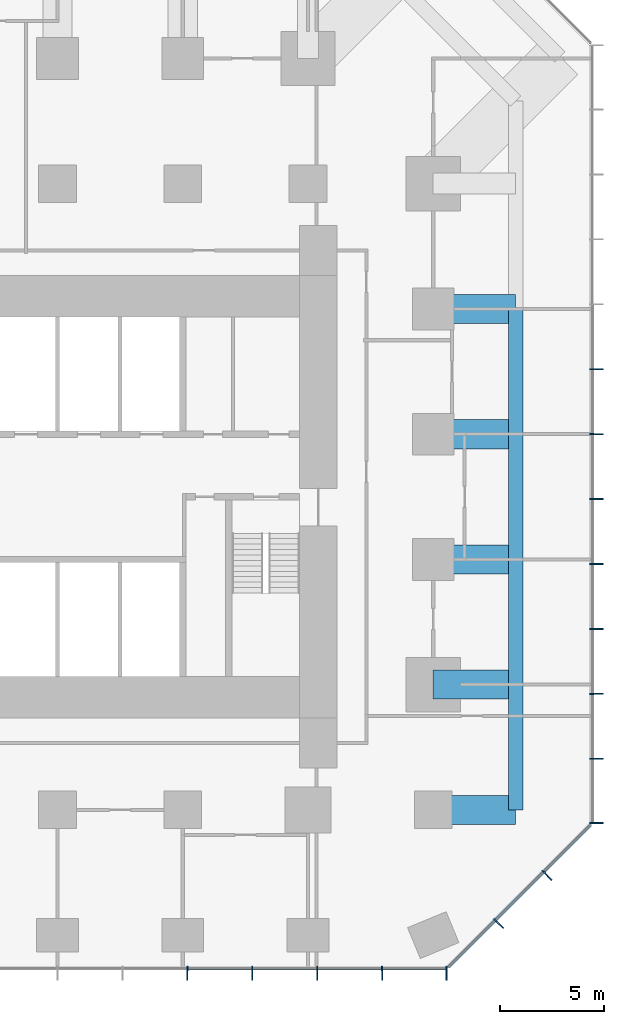
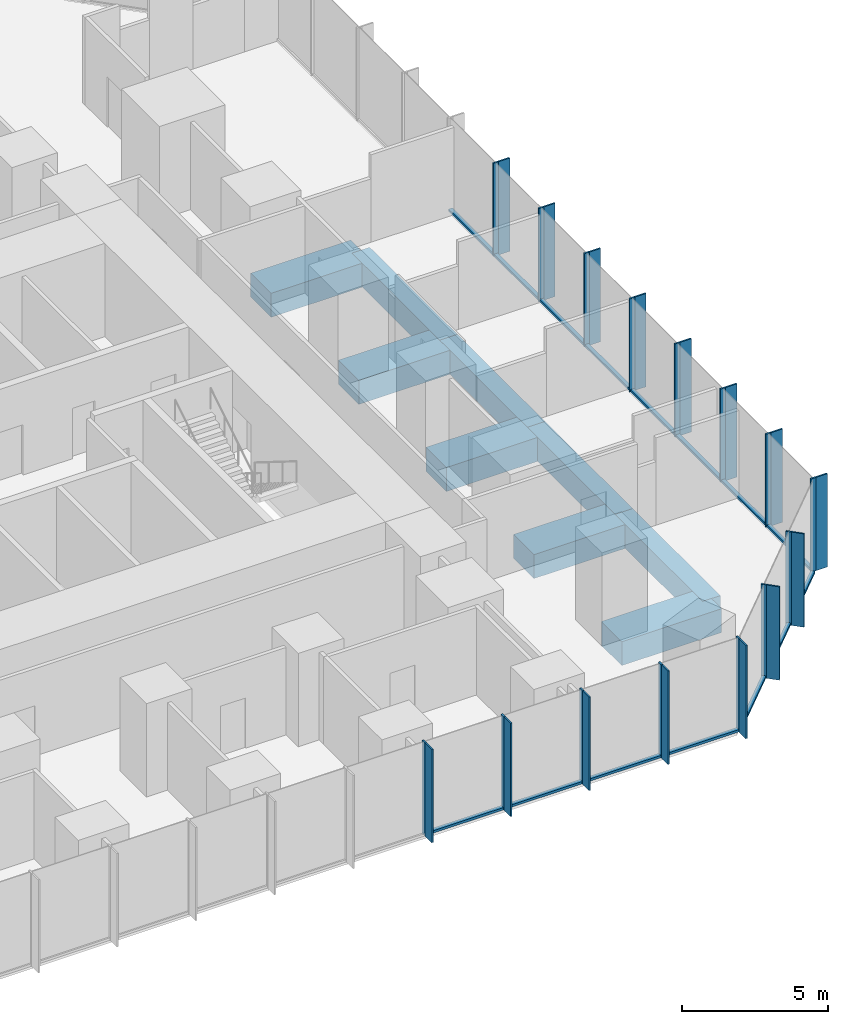
# One storey, part 4 of 12: 45 members, 9 beams, 3 elements without a shape of their own.
"""IFC4 building model written with IfcOpenShell, lengths in metres."""

from ifc_helpers import new_model, si_unit, direction, frame, origin, origin_2d, place, context, subcontext, project, spatial, rectangle, extrude, material, layer, layer_set, material_profile, profile_set, type_object, element, aggregate, save


model = new_model("IFC4")

# Units and contexts
model_context = context("Model", 3, precision=1e-05, world=origin(), true_north=direction((0.0, 1.0)))
body_context = subcontext(model_context, "Body", "Model", "MODEL_VIEW")
ifc_project = project(units=[si_unit("LENGTHUNIT", "METRE"), si_unit("AREAUNIT", "SQUARE_METRE"), si_unit("VOLUMEUNIT", "CUBIC_METRE"), si_unit("PLANEANGLEUNIT", "RADIAN"), si_unit("MASSUNIT", "GRAM", prefix="KILO")], contexts=[model_context])

# Site, building, storey
site_placement = place(None, origin())
site = spatial("IfcSite", under=ifc_project, at=site_placement, CompositionType="ELEMENT")
building_placement = place(site_placement, origin())
building = spatial("IfcBuilding", under=site, at=building_placement, Name="Highveld Stack Headquarters", CompositionType="ELEMENT")
storey_placement = place(building_placement, frame((0.0, 0.0, 68.89990234375)))
storey = spatial("IfcBuildingStorey", under=building, at=storey_placement, Name="L16", CompositionType="ELEMENT", Elevation=68.89990234375)

# Beams
ifc_material_1 = material(Name="Concrete C60/75", Category="concrete")
ifc_material_profile_1 = material_profile(ifc_material_1, rectangle(XDim=1.39990234375, YDim=1.0, at=origin_2d()), Name="RC 1400x1000")
ifc_profile_set_1 = profile_set([ifc_material_profile_1], Name="Concrete C60/75")
beam_type_1 = type_object("IfcBeamType", Name="CANTILEVER RIB RC 1400x1000", PredefinedType="USERDEFINED", material=ifc_profile_set_1)
for number, where, z_axis, x_axis, name in (
    (1, (24.0, -12.0, -0.75), (1.0, 0.0, 0.0), (0.0, 1.0, 0.0), "Cantilever rib 10/C L16"),
    (2, (24.0, -6.0, -0.75), (1.0, 0.0, 0.0), (0.0, 1.0, 0.0), "Cantilever rib 10/D L16"),
    (3, (24.0, 0.0, -0.75), (1.0, 0.0, 0.0), (0.0, 1.0, 0.0), "Cantilever rib 10/E L16"),
    (4, (24.0, 6.0, -0.75), (1.0, 0.0, 0.0), (0.0, 1.0, 0.0), "Cantilever rib 10/F L16"),
    (5, (24.0, 12.0, -0.75), (1.0, 0.0, 0.0), (0.0, 1.0, 0.0), "Cantilever rib 10/G L16"),
):
    element("IfcBeam", number, at=place(storey_placement, frame(where, z_axis=z_axis, x_axis=x_axis)), inside=storey, type_object=beam_type_1, Name=name, ObjectType="CANTILEVER RIB", PredefinedType="USERDEFINED", context=body_context, shape_type="SweptSolid", body=[
        extrude(rectangle(XDim=1.39990234375, YDim=1.0, at=origin_2d()), origin(), (0.0, 0.0, 1.0), 3.949951171875),
    ])

# Curtain wall, members
ifc_material_2 = material(Name="Aluminium bronze anodised", Category="aluminium")
ifc_layer_1 = layer(ifc_material_2, 0.199951171875)
ifc_layer_set_1 = layer_set([ifc_layer_1], Name="Aluminium bronze anodised")
curtain_wall_type_1 = type_object("IfcCurtainWallType", Name="CW1 TOWER UNITISED CURTAIN WALL", PredefinedType="NOTDEFINED", material=ifc_layer_set_1)
curtain_wall_1_placement = place(storey_placement, origin())
curtain_wall_1 = element("IfcCurtainWall", 6, at=curtain_wall_1_placement, inside=storey, type_object=curtain_wall_type_1, Name="Curtain wall CW1 L16 S", PredefinedType="NOTDEFINED")
ifc_material_3 = material(Name="Aluminium bronze anodised", Category="aluminium")
ifc_material_profile_2 = material_profile(ifc_material_3, rectangle(XDim=0.449951171875, YDim=0.06005859375, at=origin_2d()), Name="FIN 450x60")
ifc_profile_set_2 = profile_set([ifc_material_profile_2], Name="Aluminium bronze anodised")
member_type_1 = type_object("IfcMemberType", Name="CW1 BRONZE FIN 450x60", PredefinedType="USERDEFINED", material=ifc_profile_set_2)
member_1_placement = place(storey_placement, frame((12.220947265625, -19.925048828125, 0.0), z_axis=(0.0, 0.0, 1.0), x_axis=(0.0, 1.0, 0.0)))
member_1 = element("IfcMember", 7, at=member_1_placement, type_object=member_type_1, Name="CW1 fin L16 9", ObjectType="FIN", PredefinedType="USERDEFINED", context=body_context, shape_type="SweptSolid", body=[
    extrude(rectangle(XDim=0.449951171875, YDim=0.06005859375, at=origin_2d()), origin(), (0.0, 0.0, 1.0), 3.900146484375),
])
member_2_placement = place(storey_placement, frame((15.331298828125, -19.925048828125, 0.0), z_axis=(0.0, 0.0, 1.0), x_axis=(0.0, 1.0, 0.0)))
member_2 = element("IfcMember", 8, at=member_2_placement, type_object=member_type_1, Name="CW1 fin L16 10", ObjectType="FIN", PredefinedType="USERDEFINED", context=body_context, shape_type="SweptSolid", body=[
    extrude(rectangle(XDim=0.449951171875, YDim=0.06005859375, at=origin_2d()), origin(), (0.0, 0.0, 1.0), 3.900146484375),
])
member_3_placement = place(storey_placement, frame((18.44189453125, -19.925048828125, 0.0), z_axis=(0.0, 0.0, 1.0), x_axis=(0.0, 1.0, 0.0)))
member_3 = element("IfcMember", 9, at=member_3_placement, type_object=member_type_1, Name="CW1 fin L16 11", ObjectType="FIN", PredefinedType="USERDEFINED", context=body_context, shape_type="SweptSolid", body=[
    extrude(rectangle(XDim=0.449951171875, YDim=0.06005859375, at=origin_2d()), origin(), (0.0, 0.0, 1.0), 3.900146484375),
])
member_4_placement = place(storey_placement, frame((21.55224609375, -19.925048828125, 0.0), z_axis=(0.0, 0.0, 1.0), x_axis=(0.0, 1.0, 0.0)))
member_4 = element("IfcMember", 10, at=member_4_placement, type_object=member_type_1, Name="CW1 fin L16 12", ObjectType="FIN", PredefinedType="USERDEFINED", context=body_context, shape_type="SweptSolid", body=[
    extrude(rectangle(XDim=0.449951171875, YDim=0.06005859375, at=origin_2d()), origin(), (0.0, 0.0, 1.0), 3.900146484375),
])
member_5_placement = place(storey_placement, frame((24.630126953125, -19.925048828125, 0.0), z_axis=(0.0, 0.0, 1.0), x_axis=(0.0, 1.0, 0.0)))
member_5 = element("IfcMember", 11, at=member_5_placement, type_object=member_type_1, Name="CW1 fin L16 13", ObjectType="FIN", PredefinedType="USERDEFINED", context=body_context, shape_type="SweptSolid", body=[
    extrude(rectangle(XDim=0.449951171875, YDim=0.06005859375, at=origin_2d()), origin(), (0.0, 0.0, 1.0), 3.900146484375),
])

curtain_wall_2_placement = place(storey_placement, origin())
curtain_wall_2 = element("IfcCurtainWall", 12, at=curtain_wall_2_placement, inside=storey, type_object=curtain_wall_type_1, Name="Curtain wall CW1 L16 E", PredefinedType="NOTDEFINED")
member_6_placement = place(storey_placement, frame((31.925048828125, -12.630126953125, 0.0), z_axis=(0.0, 0.0, 1.0), x_axis=(-1.0, 0.0, 0.0)))
member_6 = element("IfcMember", 13, at=member_6_placement, type_object=member_type_1, Name="CW1 fin L16 1", ObjectType="FIN", PredefinedType="USERDEFINED", context=body_context, shape_type="SweptSolid", body=[
    extrude(rectangle(XDim=0.449951171875, YDim=0.06005859375, at=origin_2d()), origin(), (0.0, 0.0, 1.0), 3.900146484375),
])
member_7_placement = place(storey_placement, frame((31.925048828125, -9.55224609375, 0.0), z_axis=(0.0, 0.0, 1.0), x_axis=(-1.0, 0.0, 0.0)))
member_7 = element("IfcMember", 14, at=member_7_placement, type_object=member_type_1, Name="CW1 fin L16 2", ObjectType="FIN", PredefinedType="USERDEFINED", context=body_context, shape_type="SweptSolid", body=[
    extrude(rectangle(XDim=0.449951171875, YDim=0.06005859375, at=origin_2d()), origin(), (0.0, 0.0, 1.0), 3.900146484375),
])
member_8_placement = place(storey_placement, frame((31.925048828125, -6.44189453125, 0.0), z_axis=(0.0, 0.0, 1.0), x_axis=(-1.0, 0.0, 0.0)))
member_8 = element("IfcMember", 15, at=member_8_placement, type_object=member_type_1, Name="CW1 fin L16 3", ObjectType="FIN", PredefinedType="USERDEFINED", context=body_context, shape_type="SweptSolid", body=[
    extrude(rectangle(XDim=0.449951171875, YDim=0.06005859375, at=origin_2d()), origin(), (0.0, 0.0, 1.0), 3.900146484375),
])
member_9_placement = place(storey_placement, frame((31.925048828125, -3.331298828125, 0.0), z_axis=(0.0, 0.0, 1.0), x_axis=(-1.0, 0.0, 0.0)))
member_9 = element("IfcMember", 16, at=member_9_placement, type_object=member_type_1, Name="CW1 fin L16 4", ObjectType="FIN", PredefinedType="USERDEFINED", context=body_context, shape_type="SweptSolid", body=[
    extrude(rectangle(XDim=0.449951171875, YDim=0.06005859375, at=origin_2d()), origin(), (0.0, 0.0, 1.0), 3.900146484375),
])
member_10_placement = place(storey_placement, frame((31.925048828125, -0.220947265625, 0.0), z_axis=(0.0, 0.0, 1.0), x_axis=(-1.0, 0.0, 0.0)))
member_10 = element("IfcMember", 17, at=member_10_placement, type_object=member_type_1, Name="CW1 fin L16 5", ObjectType="FIN", PredefinedType="USERDEFINED", context=body_context, shape_type="SweptSolid", body=[
    extrude(rectangle(XDim=0.449951171875, YDim=0.06005859375, at=origin_2d()), origin(), (0.0, 0.0, 1.0), 3.900146484375),
])
member_11_placement = place(storey_placement, frame((31.925048828125, 2.8896484375, 0.0), z_axis=(0.0, 0.0, 1.0), x_axis=(-1.0, 0.0, 0.0)))
member_11 = element("IfcMember", 18, at=member_11_placement, type_object=member_type_1, Name="CW1 fin L16 6", ObjectType="FIN", PredefinedType="USERDEFINED", context=body_context, shape_type="SweptSolid", body=[
    extrude(rectangle(XDim=0.449951171875, YDim=0.06005859375, at=origin_2d()), origin(), (0.0, 0.0, 1.0), 3.900146484375),
])
member_12_placement = place(storey_placement, frame((31.925048828125, 6.0, 0.0), z_axis=(0.0, 0.0, 1.0), x_axis=(-1.0, 0.0, 0.0)))
member_12 = element("IfcMember", 19, at=member_12_placement, type_object=member_type_1, Name="CW1 fin L16 7", ObjectType="FIN", PredefinedType="USERDEFINED", context=body_context, shape_type="SweptSolid", body=[
    extrude(rectangle(XDim=0.449951171875, YDim=0.06005859375, at=origin_2d()), origin(), (0.0, 0.0, 1.0), 3.900146484375),
])
member_13_placement = place(storey_placement, frame((31.925048828125, 9.110595703125, 0.0), z_axis=(0.0, 0.0, 1.0), x_axis=(-1.0, 0.0, 0.0)))
member_13 = element("IfcMember", 20, at=member_13_placement, type_object=member_type_1, Name="CW1 fin L16 8", ObjectType="FIN", PredefinedType="USERDEFINED", context=body_context, shape_type="SweptSolid", body=[
    extrude(rectangle(XDim=0.449951171875, YDim=0.06005859375, at=origin_2d()), origin(), (0.0, 0.0, 1.0), 3.900146484375),
])

# Member
ifc_material_4 = material(Name="Aluminium bronze anodised", Category="aluminium")
ifc_material_profile_3 = material_profile(ifc_material_4, rectangle(XDim=0.199951171875, YDim=0.06494140625, at=origin_2d()), Name="CW1 MULLION 65x200")
ifc_profile_set_3 = profile_set([ifc_material_profile_3], Name="Aluminium bronze anodised")
member_type_2 = type_object("IfcMemberType", Name="CW1 MULLION 65x200", PredefinedType="MULLION", material=ifc_profile_set_3)
member_14_placement = place(storey_placement, frame((12.220947265625, -19.60009765625, 0.0), z_axis=(0.0, 0.0, 1.0), x_axis=(0.0, 1.0, 0.0)))
member_14 = element("IfcMember", 21, at=member_14_placement, type_object=member_type_2, Name="CW1 mullion L16 9", PredefinedType="MULLION", context=body_context, shape_type="SweptSolid", body=[
    extrude(rectangle(XDim=0.199951171875, YDim=0.06494140625, at=origin_2d()), origin(), (0.0, 0.0, 1.0), 3.900146484375),
])

member_15_placement = place(storey_placement, frame((15.331298828125, -19.60009765625, 0.0), z_axis=(0.0, 0.0, 1.0), x_axis=(0.0, 1.0, 0.0)))
member_15 = element("IfcMember", 22, at=member_15_placement, type_object=member_type_2, Name="CW1 mullion L16 10", PredefinedType="MULLION", context=body_context, shape_type="SweptSolid", body=[
    extrude(rectangle(XDim=0.199951171875, YDim=0.06494140625, at=origin_2d()), origin(), (0.0, 0.0, 1.0), 3.900146484375),
])

member_16_placement = place(storey_placement, frame((18.44189453125, -19.60009765625, 0.0), z_axis=(0.0, 0.0, 1.0), x_axis=(0.0, 1.0, 0.0)))
member_16 = element("IfcMember", 23, at=member_16_placement, type_object=member_type_2, Name="CW1 mullion L16 11", PredefinedType="MULLION", context=body_context, shape_type="SweptSolid", body=[
    extrude(rectangle(XDim=0.199951171875, YDim=0.06494140625, at=origin_2d()), origin(), (0.0, 0.0, 1.0), 3.900146484375),
])

member_17_placement = place(storey_placement, frame((21.55224609375, -19.60009765625, 0.0), z_axis=(0.0, 0.0, 1.0), x_axis=(0.0, 1.0, 0.0)))
member_17 = element("IfcMember", 24, at=member_17_placement, type_object=member_type_2, Name="CW1 mullion L16 12", PredefinedType="MULLION", context=body_context, shape_type="SweptSolid", body=[
    extrude(rectangle(XDim=0.199951171875, YDim=0.06494140625, at=origin_2d()), origin(), (0.0, 0.0, 1.0), 3.900146484375),
])

member_18_placement = place(storey_placement, frame((24.630126953125, -19.60009765625, 0.0), z_axis=(0.0, 0.0, 1.0), x_axis=(0.0, 1.0, 0.0)))
member_18 = element("IfcMember", 25, at=member_18_placement, type_object=member_type_2, Name="CW1 mullion L16 13", PredefinedType="MULLION", context=body_context, shape_type="SweptSolid", body=[
    extrude(rectangle(XDim=0.199951171875, YDim=0.06494140625, at=origin_2d()), origin(), (0.0, 0.0, 1.0), 3.900146484375),
])

member_19_placement = place(storey_placement, frame((31.60009765625, -12.630126953125, 0.0), z_axis=(0.0, 0.0, 1.0), x_axis=(-1.0, 0.0, 0.0)))
member_19 = element("IfcMember", 26, at=member_19_placement, type_object=member_type_2, Name="CW1 mullion L16 1", PredefinedType="MULLION", context=body_context, shape_type="SweptSolid", body=[
    extrude(rectangle(XDim=0.199951171875, YDim=0.06494140625, at=origin_2d()), origin(), (0.0, 0.0, 1.0), 3.900146484375),
])

member_20_placement = place(storey_placement, frame((31.60009765625, -9.55224609375, 0.0), z_axis=(0.0, 0.0, 1.0), x_axis=(-1.0, 0.0, 0.0)))
member_20 = element("IfcMember", 27, at=member_20_placement, type_object=member_type_2, Name="CW1 mullion L16 2", PredefinedType="MULLION", context=body_context, shape_type="SweptSolid", body=[
    extrude(rectangle(XDim=0.199951171875, YDim=0.06494140625, at=origin_2d()), origin(), (0.0, 0.0, 1.0), 3.900146484375),
])

member_21_placement = place(storey_placement, frame((31.60009765625, -6.44189453125, 0.0), z_axis=(0.0, 0.0, 1.0), x_axis=(-1.0, 0.0, 0.0)))
member_21 = element("IfcMember", 28, at=member_21_placement, type_object=member_type_2, Name="CW1 mullion L16 3", PredefinedType="MULLION", context=body_context, shape_type="SweptSolid", body=[
    extrude(rectangle(XDim=0.199951171875, YDim=0.06494140625, at=origin_2d()), origin(), (0.0, 0.0, 1.0), 3.900146484375),
])

member_22_placement = place(storey_placement, frame((31.60009765625, -3.331298828125, 0.0), z_axis=(0.0, 0.0, 1.0), x_axis=(-1.0, 0.0, 0.0)))
member_22 = element("IfcMember", 29, at=member_22_placement, type_object=member_type_2, Name="CW1 mullion L16 4", PredefinedType="MULLION", context=body_context, shape_type="SweptSolid", body=[
    extrude(rectangle(XDim=0.199951171875, YDim=0.06494140625, at=origin_2d()), origin(), (0.0, 0.0, 1.0), 3.900146484375),
])

member_23_placement = place(storey_placement, frame((31.60009765625, -0.220947265625, 0.0), z_axis=(0.0, 0.0, 1.0), x_axis=(-1.0, 0.0, 0.0)))
member_23 = element("IfcMember", 30, at=member_23_placement, type_object=member_type_2, Name="CW1 mullion L16 5", PredefinedType="MULLION", context=body_context, shape_type="SweptSolid", body=[
    extrude(rectangle(XDim=0.199951171875, YDim=0.06494140625, at=origin_2d()), origin(), (0.0, 0.0, 1.0), 3.900146484375),
])

member_24_placement = place(storey_placement, frame((31.60009765625, 2.8896484375, 0.0), z_axis=(0.0, 0.0, 1.0), x_axis=(-1.0, 0.0, 0.0)))
member_24 = element("IfcMember", 31, at=member_24_placement, type_object=member_type_2, Name="CW1 mullion L16 6", PredefinedType="MULLION", context=body_context, shape_type="SweptSolid", body=[
    extrude(rectangle(XDim=0.199951171875, YDim=0.06494140625, at=origin_2d()), origin(), (0.0, 0.0, 1.0), 3.900146484375),
])

member_25_placement = place(storey_placement, frame((31.60009765625, 6.0, 0.0), z_axis=(0.0, 0.0, 1.0), x_axis=(-1.0, 0.0, 0.0)))
member_25 = element("IfcMember", 32, at=member_25_placement, type_object=member_type_2, Name="CW1 mullion L16 7", PredefinedType="MULLION", context=body_context, shape_type="SweptSolid", body=[
    extrude(rectangle(XDim=0.199951171875, YDim=0.06494140625, at=origin_2d()), origin(), (0.0, 0.0, 1.0), 3.900146484375),
])

member_26_placement = place(storey_placement, frame((31.60009765625, 9.110595703125, 0.0), z_axis=(0.0, 0.0, 1.0), x_axis=(-1.0, 0.0, 0.0)))
member_26 = element("IfcMember", 33, at=member_26_placement, type_object=member_type_2, Name="CW1 mullion L16 8", PredefinedType="MULLION", context=body_context, shape_type="SweptSolid", body=[
    extrude(rectangle(XDim=0.199951171875, YDim=0.06494140625, at=origin_2d()), origin(), (0.0, 0.0, 1.0), 3.900146484375),
])

ifc_material_5 = material(Name="Aluminium bronze anodised", Category="aluminium")
ifc_material_profile_4 = material_profile(ifc_material_5, rectangle(XDim=0.14990234375, YDim=0.10009765625, at=origin_2d()), Name="CW1 TRANSOM 150x100")
ifc_profile_set_4 = profile_set([ifc_material_profile_4], Name="Aluminium bronze anodised")
member_type_3 = type_object("IfcMemberType", Name="CW1 STACK TRANSOM 150x100", PredefinedType="USERDEFINED", material=ifc_profile_set_4)
member_27_placement = place(storey_placement, frame((12.25341796875, -19.60009765625, 0.050048828125), z_axis=(1.0, 0.0, 0.0), x_axis=(0.0, 1.0, 0.0)))
member_27 = element("IfcMember", 34, at=member_27_placement, type_object=member_type_3, Name="CW1 transom L16 9.1", ObjectType="TRANSOM", PredefinedType="USERDEFINED", context=body_context, shape_type="SweptSolid", body=[
    extrude(rectangle(XDim=0.14990234375, YDim=0.10009765625, at=origin_2d()), origin(), (0.0, 0.0, 1.0), 3.04541015625),
])

member_28_placement = place(storey_placement, frame((15.364013671875, -19.60009765625, 0.050048828125), z_axis=(1.0, 0.0, 0.0), x_axis=(0.0, 1.0, 0.0)))
member_28 = element("IfcMember", 35, at=member_28_placement, type_object=member_type_3, Name="CW1 transom L16 10.1", ObjectType="TRANSOM", PredefinedType="USERDEFINED", context=body_context, shape_type="SweptSolid", body=[
    extrude(rectangle(XDim=0.14990234375, YDim=0.10009765625, at=origin_2d()), origin(), (0.0, 0.0, 1.0), 3.045166015625),
])

member_29_placement = place(storey_placement, frame((18.474365234375, -19.60009765625, 0.050048828125), z_axis=(1.0, 0.0, 0.0), x_axis=(0.0, 1.0, 0.0)))
member_29 = element("IfcMember", 36, at=member_29_placement, type_object=member_type_3, Name="CW1 transom L16 11.1", ObjectType="TRANSOM", PredefinedType="USERDEFINED", context=body_context, shape_type="SweptSolid", body=[
    extrude(rectangle(XDim=0.14990234375, YDim=0.10009765625, at=origin_2d()), origin(), (0.0, 0.0, 1.0), 3.04541015625),
])

member_30_placement = place(storey_placement, frame((21.584716796875, -19.60009765625, 0.050048828125), z_axis=(1.0, 0.0, 0.0), x_axis=(0.0, 1.0, 0.0)))
member_30 = element("IfcMember", 37, at=member_30_placement, type_object=member_type_3, Name="CW1 transom L16 12.1", ObjectType="TRANSOM", PredefinedType="USERDEFINED", context=body_context, shape_type="SweptSolid", body=[
    extrude(rectangle(XDim=0.14990234375, YDim=0.10009765625, at=origin_2d()), origin(), (0.0, 0.0, 1.0), 3.012939453125),
])

aggregate(curtain_wall_1, [member_14, member_1, member_15, member_2, member_16, member_3, member_17, member_4, member_18, member_5, member_27, member_28, member_29, member_30])

member_31_placement = place(storey_placement, frame((31.60009765625, -12.59765625, 0.050048828125), z_axis=(0.0, 1.0, 0.0), x_axis=(-1.0, 0.0, 0.0)))
member_31 = element("IfcMember", 38, at=member_31_placement, type_object=member_type_3, Name="CW1 transom L16 1.1", ObjectType="TRANSOM", PredefinedType="USERDEFINED", context=body_context, shape_type="SweptSolid", body=[
    extrude(rectangle(XDim=0.14990234375, YDim=0.10009765625, at=origin_2d()), origin(), (0.0, 0.0, 1.0), 3.012939453125),
])

member_32_placement = place(storey_placement, frame((31.60009765625, -9.519775390625, 0.050048828125), z_axis=(0.0, 1.0, 0.0), x_axis=(-1.0, 0.0, 0.0)))
member_32 = element("IfcMember", 39, at=member_32_placement, type_object=member_type_3, Name="CW1 transom L16 2.1", ObjectType="TRANSOM", PredefinedType="USERDEFINED", context=body_context, shape_type="SweptSolid", body=[
    extrude(rectangle(XDim=0.14990234375, YDim=0.10009765625, at=origin_2d()), origin(), (0.0, 0.0, 1.0), 3.04541015625),
])

member_33_placement = place(storey_placement, frame((31.60009765625, -6.4091796875, 0.050048828125), z_axis=(0.0, 1.0, 0.0), x_axis=(-1.0, 0.0, 0.0)))
member_33 = element("IfcMember", 40, at=member_33_placement, type_object=member_type_3, Name="CW1 transom L16 3.1", ObjectType="TRANSOM", PredefinedType="USERDEFINED", context=body_context, shape_type="SweptSolid", body=[
    extrude(rectangle(XDim=0.14990234375, YDim=0.10009765625, at=origin_2d()), origin(), (0.0, 0.0, 1.0), 3.04541015625),
])

member_34_placement = place(storey_placement, frame((31.60009765625, -3.298828125, 0.050048828125), z_axis=(0.0, 1.0, 0.0), x_axis=(-1.0, 0.0, 0.0)))
member_34 = element("IfcMember", 41, at=member_34_placement, type_object=member_type_3, Name="CW1 transom L16 4.1", ObjectType="TRANSOM", PredefinedType="USERDEFINED", context=body_context, shape_type="SweptSolid", body=[
    extrude(rectangle(XDim=0.14990234375, YDim=0.10009765625, at=origin_2d()), origin(), (0.0, 0.0, 1.0), 3.04541015625),
])

member_35_placement = place(storey_placement, frame((31.60009765625, -0.1884765625, 0.050048828125), z_axis=(0.0, 1.0, 0.0), x_axis=(-1.0, 0.0, 0.0)))
member_35 = element("IfcMember", 42, at=member_35_placement, type_object=member_type_3, Name="CW1 transom L16 5.1", ObjectType="TRANSOM", PredefinedType="USERDEFINED", context=body_context, shape_type="SweptSolid", body=[
    extrude(rectangle(XDim=0.14990234375, YDim=0.10009765625, at=origin_2d()), origin(), (0.0, 0.0, 1.0), 3.045654296875),
])

member_36_placement = place(storey_placement, frame((31.60009765625, 2.922119140625, 0.050048828125), z_axis=(0.0, 1.0, 0.0), x_axis=(-1.0, 0.0, 0.0)))
member_36 = element("IfcMember", 43, at=member_36_placement, type_object=member_type_3, Name="CW1 transom L16 6.1", ObjectType="TRANSOM", PredefinedType="USERDEFINED", context=body_context, shape_type="SweptSolid", body=[
    extrude(rectangle(XDim=0.14990234375, YDim=0.10009765625, at=origin_2d()), origin(), (0.0, 0.0, 1.0), 3.04541015625),
])

member_37_placement = place(storey_placement, frame((31.60009765625, 6.032470703125, 0.050048828125), z_axis=(0.0, 1.0, 0.0), x_axis=(-1.0, 0.0, 0.0)))
member_37 = element("IfcMember", 44, at=member_37_placement, type_object=member_type_3, Name="CW1 transom L16 7.1", ObjectType="TRANSOM", PredefinedType="USERDEFINED", context=body_context, shape_type="SweptSolid", body=[
    extrude(rectangle(XDim=0.14990234375, YDim=0.10009765625, at=origin_2d()), origin(), (0.0, 0.0, 1.0), 3.04541015625),
])

member_38_placement = place(storey_placement, frame((31.60009765625, 9.14306640625, 0.050048828125), z_axis=(0.0, 1.0, 0.0), x_axis=(-1.0, 0.0, 0.0)))
member_38 = element("IfcMember", 45, at=member_38_placement, type_object=member_type_3, Name="CW1 transom L16 8.1", ObjectType="TRANSOM", PredefinedType="USERDEFINED", context=body_context, shape_type="SweptSolid", body=[
    extrude(rectangle(XDim=0.14990234375, YDim=0.10009765625, at=origin_2d()), origin(), (0.0, 0.0, 1.0), 3.04541015625),
])

aggregate(curtain_wall_2, [member_19, member_6, member_20, member_7, member_21, member_8, member_22, member_9, member_23, member_10, member_24, member_11, member_25, member_12, member_26, member_13, member_31, member_32, member_33, member_34, member_35, member_36, member_37, member_38])

# Curtain wall, members
ifc_material_6 = material(Name="Aluminium bronze anodised", Category="aluminium")
ifc_layer_2 = layer(ifc_material_6, 0.199951171875)
ifc_layer_set_2 = layer_set([ifc_layer_2], Name="Aluminium bronze anodised")
curtain_wall_type_2 = type_object("IfcCurtainWallType", Name="CW2 TOWER CHAMFER UNITISED CURTAIN WALL", PredefinedType="NOTDEFINED", material=ifc_layer_set_2)
curtain_wall_3_placement = place(storey_placement, origin())
curtain_wall_3 = element("IfcCurtainWall", 46, at=curtain_wall_3_placement, inside=storey, type_object=curtain_wall_type_2, Name="Curtain wall CW2 L16 SE", PredefinedType="NOTDEFINED")
ifc_material_7 = material(Name="Aluminium bronze anodised", Category="aluminium")
ifc_material_profile_5 = material_profile(ifc_material_7, rectangle(XDim=0.449951171875, YDim=0.06005859375, at=origin_2d()), Name="FIN 450x60")
ifc_profile_set_5 = profile_set([ifc_material_profile_5], Name="Aluminium bronze anodised")
member_type_4 = type_object("IfcMemberType", Name="CW2 BRONZE FIN 450x60", PredefinedType="USERDEFINED", material=ifc_profile_set_5)
member_39_placement = place(storey_placement, frame((27.204833984375, -17.517333984375, 0.0), z_axis=(0.0, 0.0, 1.0), x_axis=(-0.707106781187, 0.707106781187, 0.0)))
member_39 = element("IfcMember", 47, at=member_39_placement, type_object=member_type_4, Name="CW2 fin L16 1", ObjectType="FIN", PredefinedType="USERDEFINED", context=body_context, shape_type="SweptSolid", body=[
    extrude(rectangle(XDim=0.449951171875, YDim=0.06005859375, at=origin_2d()), origin(), (0.0, 0.0, 1.0), 3.900146484375),
])
member_40_placement = place(storey_placement, frame((29.517333984375, -15.204833984375, 0.0), z_axis=(0.0, 0.0, 1.0), x_axis=(-0.707106781187, 0.707106781187, 0.0)))
member_40 = element("IfcMember", 48, at=member_40_placement, type_object=member_type_4, Name="CW2 fin L16 2", ObjectType="FIN", PredefinedType="USERDEFINED", context=body_context, shape_type="SweptSolid", body=[
    extrude(rectangle(XDim=0.449951171875, YDim=0.06005859375, at=origin_2d()), origin(), (0.0, 0.0, 1.0), 3.900146484375),
])
ifc_material_8 = material(Name="Aluminium bronze anodised", Category="aluminium")
ifc_material_profile_6 = material_profile(ifc_material_8, rectangle(XDim=0.199951171875, YDim=0.06494140625, at=origin_2d()), Name="CW2 MULLION 65x200")
ifc_profile_set_6 = profile_set([ifc_material_profile_6], Name="Aluminium bronze anodised")
member_type_5 = type_object("IfcMemberType", Name="CW2 MULLION 65x200", PredefinedType="MULLION", material=ifc_profile_set_6)
member_41_placement = place(storey_placement, frame((26.97509765625, -17.28759765625, 0.0), z_axis=(0.0, 0.0, 1.0), x_axis=(-0.707106781187, 0.707106781187, 0.0)))
member_41 = element("IfcMember", 49, at=member_41_placement, type_object=member_type_5, Name="CW2 mullion L16 1", PredefinedType="MULLION", context=body_context, shape_type="SweptSolid", body=[
    extrude(rectangle(XDim=0.199951171875, YDim=0.06494140625, at=origin_2d()), origin(), (0.0, 0.0, 1.0), 3.900146484375),
])
member_42_placement = place(storey_placement, frame((29.28759765625, -14.97509765625, 0.0), z_axis=(0.0, 0.0, 1.0), x_axis=(-0.707106781187, 0.707106781187, 0.0)))
member_42 = element("IfcMember", 50, at=member_42_placement, type_object=member_type_5, Name="CW2 mullion L16 2", PredefinedType="MULLION", context=body_context, shape_type="SweptSolid", body=[
    extrude(rectangle(XDim=0.199951171875, YDim=0.06494140625, at=origin_2d()), origin(), (0.0, 0.0, 1.0), 3.900146484375),
])
ifc_material_9 = material(Name="Aluminium bronze anodised", Category="aluminium")
ifc_material_profile_7 = material_profile(ifc_material_9, rectangle(XDim=0.14990234375, YDim=0.10009765625, at=origin_2d()), Name="CW2 TRANSOM 150x100")
ifc_profile_set_7 = profile_set([ifc_material_profile_7], Name="Aluminium bronze anodised")
member_type_6 = type_object("IfcMemberType", Name="CW2 STACK TRANSOM 150x100", PredefinedType="USERDEFINED", material=ifc_profile_set_7)
member_43_placement = place(storey_placement, frame((24.7333984375, -19.529296875, 0.050048828125), z_axis=(0.707106781187, 0.707106781187, 0.0), x_axis=(-0.707106781187, 0.707106781187, 0.0)))
member_43 = element("IfcMember", 51, at=member_43_placement, type_object=member_type_6, Name="CW2 transom L16 1.1", ObjectType="TRANSOM", PredefinedType="USERDEFINED", context=body_context, shape_type="SweptSolid", body=[
    extrude(rectangle(XDim=0.14990234375, YDim=0.10009765625, at=origin_2d()), origin(), (0.0, 0.0, 1.0), 3.1376953125),
])
member_44_placement = place(storey_placement, frame((26.998046875, -17.2646484375, 0.050048828125), z_axis=(0.707106781187, 0.707106781187, 0.0), x_axis=(-0.707106781187, 0.707106781187, 0.0)))
member_44 = element("IfcMember", 52, at=member_44_placement, type_object=member_type_6, Name="CW2 transom L16 2.1", ObjectType="TRANSOM", PredefinedType="USERDEFINED", context=body_context, shape_type="SweptSolid", body=[
    extrude(rectangle(XDim=0.14990234375, YDim=0.10009765625, at=origin_2d()), origin(), (0.0, 0.0, 1.0), 3.20556640625),
])
member_45_placement = place(storey_placement, frame((29.310546875, -14.9521484375, 0.050048828125), z_axis=(0.707106781187, 0.707106781187, 0.0), x_axis=(-0.707106781187, 0.707106781187, 0.0)))
member_45 = element("IfcMember", 53, at=member_45_placement, type_object=member_type_6, Name="CW2 transom L16 3.1", ObjectType="TRANSOM", PredefinedType="USERDEFINED", context=body_context, shape_type="SweptSolid", body=[
    extrude(rectangle(XDim=0.14990234375, YDim=0.10009765625, at=origin_2d()), origin(), (0.0, 0.0, 1.0), 3.1376953125),
])
aggregate(curtain_wall_3, [member_41, member_39, member_42, member_40, member_43, member_44, member_45])

# Beams
ifc_material_10 = material(Name="Concrete C60/75", Category="concrete")
ifc_material_profile_8 = material_profile(ifc_material_10, rectangle(XDim=0.699951171875, YDim=1.0, at=origin_2d()), Name="RC 700x1000")
ifc_profile_set_8 = profile_set([ifc_material_profile_8], Name="Concrete C60/75")
beam_type_2 = type_object("IfcBeamType", Name="RIB TIP BEAM RC 700x1000", PredefinedType="SPANDREL", material=ifc_profile_set_8)
for number, where, z_axis, x_axis, name in (
    (54, (27.949951171875, -12.0, -0.75), (0.0, 1.0, 0.0), (-1.0, 0.0, 0.0), "Rib tip beam 10/C to 10/D L16"),
    (55, (27.949951171875, -6.0, -0.75), (0.0, 1.0, 0.0), (-1.0, 0.0, 0.0), "Rib tip beam 10/D to 10/E L16"),
    (56, (27.949951171875, 0.0, -0.75), (0.0, 1.0, 0.0), (-1.0, 0.0, 0.0), "Rib tip beam 10/E to 10/F L16"),
    (57, (27.949951171875, 6.0, -0.75), (0.0, 1.0, 0.0), (-1.0, 0.0, 0.0), "Rib tip beam 10/F to 10/G L16"),
):
    element("IfcBeam", number, at=place(storey_placement, frame(where, z_axis=z_axis, x_axis=x_axis)), inside=storey, type_object=beam_type_2, Name=name, PredefinedType="SPANDREL", context=body_context, shape_type="SweptSolid", body=[
        extrude(rectangle(XDim=0.699951171875, YDim=1.0, at=origin_2d()), origin(), (0.0, 0.0, 1.0), 6.0),
    ])

save(model, "model.ifc")
